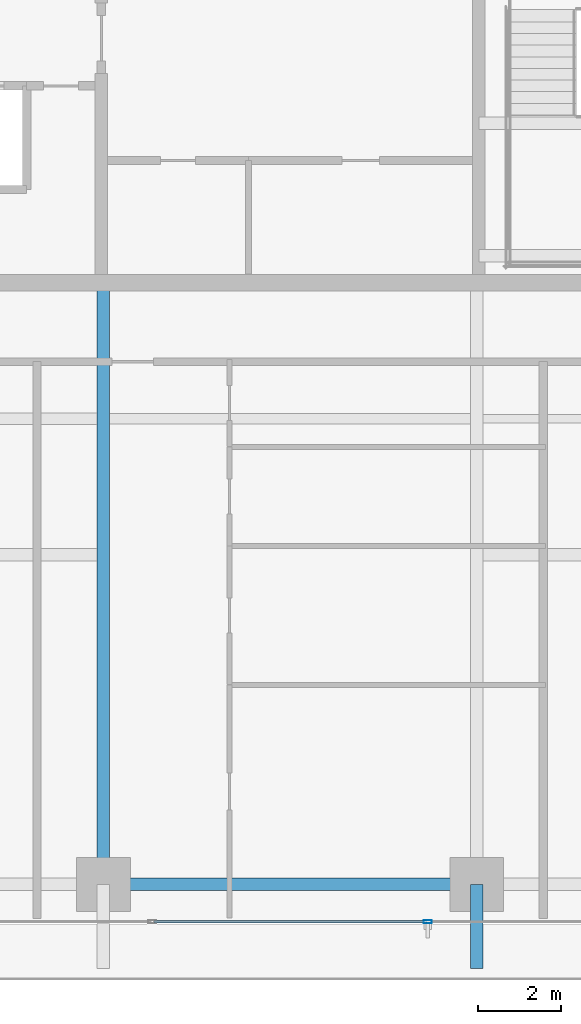
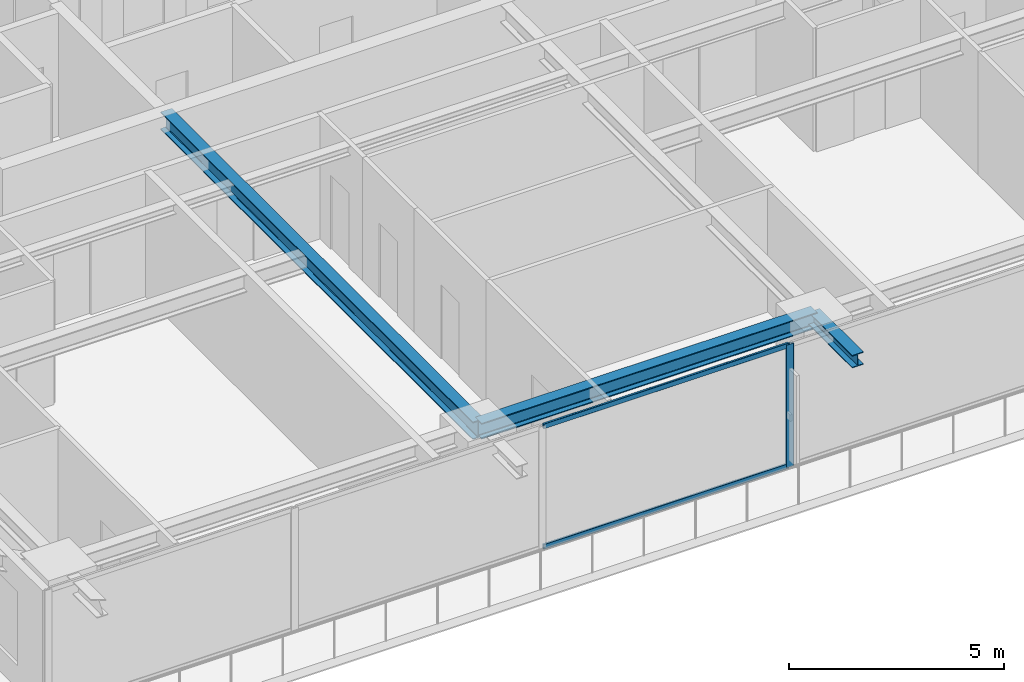
# One storey, part 6 of 39: 3 beams, 3 members, 1 element without a shape of its own.
"""IFC4 building model written with IfcOpenShell, lengths in metres."""

from ifc_helpers import new_model, si_unit, direction, frame, origin, origin_2d, place, context, subcontext, project, spatial, hollow_rectangle, i_section, extrude, source, transform, mapped, material, layer, layer_set, material_profile, profile_set, type_object, element, aggregate, save


model = new_model("IFC4")

# Units and contexts
model_context = context("Model", 3, precision=1e-05, world=origin(), true_north=direction((0.0, 1.0)))
body_context = subcontext(model_context, "Body", "Model", "MODEL_VIEW")
ifc_project = project(units=[si_unit("LENGTHUNIT", "METRE"), si_unit("AREAUNIT", "SQUARE_METRE"), si_unit("VOLUMEUNIT", "CUBIC_METRE"), si_unit("PLANEANGLEUNIT", "RADIAN"), si_unit("MASSUNIT", "GRAM", prefix="KILO")], contexts=[model_context])

# Site, building, storey
site_placement = place(None, origin())
site = spatial("IfcSite", under=ifc_project, at=site_placement, CompositionType="ELEMENT")
building_placement = place(site_placement, origin())
building = spatial("IfcBuilding", under=site, at=building_placement, Name="Serunith Strait Residences", CompositionType="ELEMENT")
storey_placement = place(building_placement, frame((0.0, 0.0, 123.89990234375)))
storey = spatial("IfcBuildingStorey", under=building, at=storey_placement, Name="L30", CompositionType="ELEMENT", Elevation=123.89990234375)

# Beams
ifc_material_1 = material(Name="Steel S355J2", Category="steel")
ifc_material_profile_1 = material_profile(ifc_material_1, i_section(OverallWidth=0.300048828125, OverallDepth=0.449951171875, WebThickness=0.013916015625, FlangeThickness=0.02587890625, FilletRadius=0.027099609375, at=origin_2d()), Name="HEB 450")
ifc_profile_set_1 = profile_set([ifc_material_profile_1], Name="Steel S355J2")
beam_type_1 = type_object("IfcBeamType", Name="BM-HEB450", PredefinedType="BEAM", material=ifc_profile_set_1)
shared_shape_1 = source(origin(), body_context, "Body", "SweptSolid", [
    extrude(i_section(OverallWidth=0.300048828125, OverallDepth=0.449951171875, WebThickness=0.013916015625, FlangeThickness=0.02587890625, FilletRadius=0.027099609375, at=origin_2d()), origin(), (0.0, 0.0, 1.0), 9.0),
])
beam_1_placement = place(storey_placement, frame((27.89990234375, 2.300048828125, 3.26220703125), z_axis=(1.0, 0.0, 0.0), x_axis=(0.0, 1.0, 0.0)))
element("IfcBeam", 1, at=beam_1_placement, inside=storey, type_object=beam_type_1, Name="L30 Perimeter Ring Beam 02", PredefinedType="BEAM", context=body_context, shape_type="MappedRepresentation", body=[
    mapped(shared_shape_1, transform((0.0, 0.0, 0.0), scale=1.0)),
])
ifc_material_profile_2 = material_profile(ifc_material_1, i_section(OverallWidth=0.300048828125, OverallDepth=0.5, WebThickness=0.014404296875, FlangeThickness=0.028076171875, FilletRadius=0.027099609375, at=origin_2d()), Name="HEB 500")
ifc_profile_set_2 = profile_set([ifc_material_profile_2], Name="Steel S355J2")
beam_type_2 = type_object("IfcBeamType", Name="BM-HEB500", PredefinedType="BEAM", material=ifc_profile_set_2)
shared_shape_2 = source(origin(), body_context, "Body", "SweptSolid", [
    extrude(i_section(OverallWidth=0.300048828125, OverallDepth=0.5, WebThickness=0.014404296875, FlangeThickness=0.028076171875, FilletRadius=0.027099609375, at=origin_2d()), origin(), (0.0, 0.0, 1.0), 14.5),
])
beam_2_placement = place(storey_placement, frame((27.89990234375, 16.800048828125, 3.237060546875), z_axis=(0.0, -1.0, 0.0), x_axis=(1.0, 0.0, 0.0)))
element("IfcBeam", 2, at=beam_2_placement, inside=storey, type_object=beam_type_2, Name="L30 Primary Floor Girder TC-S2", PredefinedType="BEAM", context=body_context, shape_type="MappedRepresentation", body=[
    mapped(shared_shape_2, transform((0.0, 0.0, 0.0), scale=1.0)),
])
ifc_material_profile_3 = material_profile(ifc_material_1, i_section(OverallWidth=0.300048828125, OverallDepth=0.360107421875, WebThickness=0.012451171875, FlangeThickness=0.0224609375, FilletRadius=0.027099609375, at=origin_2d()), Name="HEB 360")
ifc_profile_set_3 = profile_set([ifc_material_profile_3], Name="Steel S355J2")
beam_type_3 = type_object("IfcBeamType", Name="BM-HEB360", PredefinedType="BEAM", material=ifc_profile_set_3)
shared_shape_3 = source(origin(), body_context, "Body", "SweptSolid", [
    extrude(i_section(OverallWidth=0.300048828125, OverallDepth=0.360107421875, WebThickness=0.012451171875, FlangeThickness=0.0224609375, FilletRadius=0.027099609375, at=origin_2d()), origin(), (0.0, 0.0, 1.0), 2.030029296875),
])
beam_3_placement = place(storey_placement, frame((36.89990234375, 2.300048828125, 3.277099609375), z_axis=(0.0, -1.0, 0.0), x_axis=(1.0, 0.0, 0.0)))
element("IfcBeam", 3, at=beam_3_placement, inside=storey, type_object=beam_type_3, Name="L31 Cantilevered Balcony Rib TC-S3", PredefinedType="BEAM", context=body_context, shape_type="MappedRepresentation", body=[
    mapped(shared_shape_3, transform((0.0, 0.0, 0.0), scale=1.0)),
])

# Curtain wall, members
ifc_material_2 = material(Name="Pale-Champagne Anodised Aluminium", Category="aluminium")
ifc_layer = layer(ifc_material_2, 0.199951171875, Name="Pale-Champagne Anodised Aluminium")
ifc_layer_set = layer_set([ifc_layer], Name="Pale-Champagne Anodised Aluminium")
curtain_wall_type = type_object("IfcCurtainWallType", Name="CW-SYS2", PredefinedType="NOTDEFINED", material=ifc_layer_set)
curtain_wall_placement = place(storey_placement, origin())
curtain_wall = element("IfcCurtainWall", 4, at=curtain_wall_placement, inside=storey, type_object=curtain_wall_type, Name="L30 S Unitised Fritted Curtain Wall", PredefinedType="NOTDEFINED")
ifc_material_profile_4 = material_profile(ifc_material_2, hollow_rectangle(XDim=0.070068359375, YDim=0.199951171875, WallThickness=0.00390625, InnerFilletRadius=0.006103515625, OuterFilletRadius=0.010009765625, at=origin_2d()), Name="ALU 200x70x4")
ifc_profile_set_4 = profile_set([ifc_material_profile_4], Name="Pale-Champagne Anodised Aluminium")
member_type_1 = type_object("IfcMemberType", Name="CW-SYS2-MULL", PredefinedType="MULLION", material=ifc_profile_set_4)
shared_shape_4 = source(origin(), body_context, "Body", "SweptSolid", [
    extrude(hollow_rectangle(XDim=0.070068359375, YDim=0.199951171875, WallThickness=0.00390625, InnerFilletRadius=0.006103515625, OuterFilletRadius=0.010009765625, at=origin_2d()), origin(), (0.0, 0.0, 1.0), 3.47509765625),
])
member_1_placement = place(storey_placement, frame((35.719970703125, 1.39990234375, 0.0), z_axis=(0.0, 0.0, 1.0), x_axis=(0.0, 1.0, 0.0)))
member_1 = element("IfcMember", 5, at=member_1_placement, type_object=member_type_1, Name="CW-2 mullion 4", PredefinedType="MULLION", context=body_context, shape_type="MappedRepresentation", body=[
    mapped(shared_shape_4, transform((0.0, 0.0, 0.0), scale=1.0)),
])
ifc_material_profile_5 = material_profile(ifc_material_2, hollow_rectangle(XDim=0.06005859375, YDim=0.139892578125, WallThickness=0.00341796875, InnerFilletRadius=0.00537109375, OuterFilletRadius=0.0087890625, at=origin_2d()), Name="ALU 140x60x3.5")
ifc_profile_set_5 = profile_set([ifc_material_profile_5], Name="Pale-Champagne Anodised Aluminium")
member_type_2 = type_object("IfcMemberType", Name="CW-SYS2-TRAN", PredefinedType="USERDEFINED", material=ifc_profile_set_5)
shared_shape_5 = source(origin(), body_context, "Body", "SweptSolid", [
    extrude(hollow_rectangle(XDim=0.06005859375, YDim=0.139892578125, WallThickness=0.00341796875, InnerFilletRadius=0.00537109375, OuterFilletRadius=0.0087890625, at=origin_2d()), origin(), (0.0, 0.0, 1.0), 6.570068359375),
])
member_2_placement = place(storey_placement, frame((29.114990234375, 1.39990234375, 0.030029296875), z_axis=(1.0, 0.0, 0.0), x_axis=(0.0, 1.0, 0.0)))
member_2 = element("IfcMember", 6, at=member_2_placement, type_object=member_type_2, Name="CW-2 transom 3.1", ObjectType="TRANSOM", PredefinedType="USERDEFINED", context=body_context, shape_type="MappedRepresentation", body=[
    mapped(shared_shape_5, transform((0.0, 0.0, 0.0), scale=1.0)),
])
member_3_placement = place(storey_placement, frame((29.114990234375, 1.39990234375, 3.445068359375), z_axis=(1.0, 0.0, 0.0), x_axis=(0.0, 1.0, 0.0)))
member_3 = element("IfcMember", 7, at=member_3_placement, type_object=member_type_2, Name="CW-2 transom 3.2", ObjectType="TRANSOM", PredefinedType="USERDEFINED", context=body_context, shape_type="MappedRepresentation", body=[
    mapped(shared_shape_5, transform((0.0, 0.0, 0.0), scale=1.0)),
])
aggregate(curtain_wall, [member_1, member_2, member_3])

save(model, "model.ifc")
